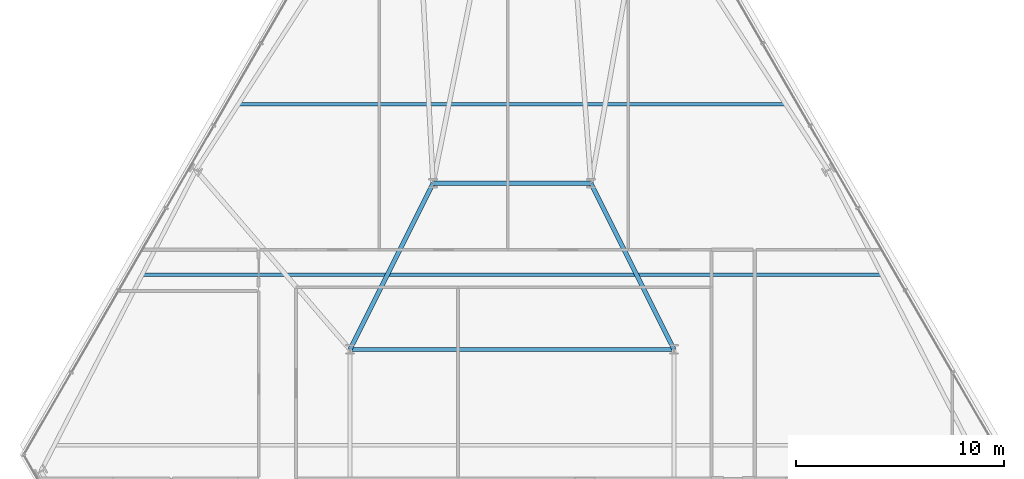
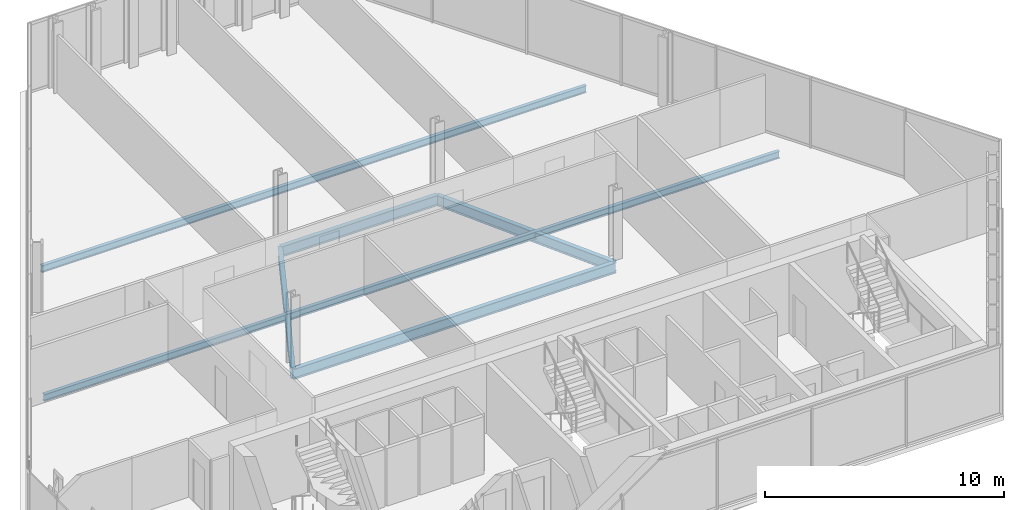
# One storey, part 15 of 32: 6 beams.
"""IFC4 building model written with IfcOpenShell, lengths in metres."""

from ifc_helpers import new_model, si_unit, direction, frame, origin, origin_2d, place, context, subcontext, project, spatial, i_section, extrude, material, material_profile, profile_set, type_object, element, save


model = new_model("IFC4")

# Units and contexts
model_context = context("Model", 3, precision=1e-05, world=origin(), true_north=direction((0.0, 1.0)))
body_context = subcontext(model_context, "Body", "Model", "MODEL_VIEW")
ifc_project = project(units=[si_unit("LENGTHUNIT", "METRE"), si_unit("AREAUNIT", "SQUARE_METRE"), si_unit("VOLUMEUNIT", "CUBIC_METRE"), si_unit("PLANEANGLEUNIT", "RADIAN"), si_unit("MASSUNIT", "GRAM", prefix="KILO")], contexts=[model_context])

# Site, building, storey
site_placement = place(None, origin())
site = spatial("IfcSite", under=ifc_project, at=site_placement, CompositionType="ELEMENT")
building_placement = place(site_placement, origin())
building = spatial("IfcBuilding", under=site, at=building_placement, Name="Ndaravel Arena Tower", CompositionType="ELEMENT")
storey_placement = place(building_placement, frame((0.0, 0.0, 70.199951171875)))
storey = spatial("IfcBuildingStorey", under=building, at=storey_placement, Name="L15", CompositionType="ELEMENT", Elevation=70.199951171875)

# Beams
ifc_material_1 = material(Name="Steel S355", Category="steel")
ifc_material_profile_1 = material_profile(ifc_material_1, i_section(OverallWidth=0.210693359375, OverallDepth=0.53955078125, WebThickness=0.01171875, FlangeThickness=0.018798828125, FilletRadius=0.0126953125, at=origin_2d()), Name="UB 533x210x109")
ifc_profile_set_1 = profile_set([ifc_material_profile_1], Name="Steel S355")
beam_type_1 = type_object("IfcBeamType", Name="BM-GIRD-UB533", PredefinedType="BEAM", material=ifc_profile_set_1)
beam_1_placement = place(storey_placement, frame((34.199951171875, 23.199951171875, -0.48974609375), z_axis=(1.0, 0.0, 0.0), x_axis=(0.0, 1.0, 0.0)))
element("IfcBeam", 1, at=beam_1_placement, inside=storey, type_object=beam_type_1, Name="L15 Spine Link Girder SLG-03", PredefinedType="BEAM", context=body_context, shape_type="SweptSolid", body=[
    extrude(i_section(OverallWidth=0.210693359375, OverallDepth=0.53955078125, WebThickness=0.01171875, FlangeThickness=0.018798828125, FilletRadius=0.0126953125, at=origin_2d()), origin(), (0.0, 0.0, 1.0), 15.60009765625),
])
for number, where, z_axis, x_axis, name in (
    (2, (34.199951171875, 23.199951171875, -0.48974609375), (0.4472135955, 0.894427191, 0.0), (-0.894427191, 0.4472135955, 0.0), "L15 Spine Link Girder SLG-04"),
    (3, (49.800048828125, 23.199951171875, -0.48974609375), (-0.4472135955, 0.894427191, 0.0), (-0.894427191, -0.4472135955, 0.0), "L15 Spine Link Girder SLG-05"),
):
    element("IfcBeam", number, at=place(storey_placement, frame(where, z_axis=z_axis, x_axis=x_axis)), inside=storey, type_object=beam_type_1, Name=name, PredefinedType="BEAM", context=body_context, shape_type="SweptSolid", body=[
        extrude(i_section(OverallWidth=0.210693359375, OverallDepth=0.53955078125, WebThickness=0.01171875, FlangeThickness=0.018798828125, FilletRadius=0.0126953125, at=origin_2d()), origin(), (0.0, 0.0, 1.0), 8.9443359375),
    ])
beam_2_placement = place(storey_placement, frame((38.199951171875, 31.199951171875, -0.48974609375), z_axis=(1.0, 0.0, 0.0), x_axis=(0.0, 1.0, 0.0)))
element("IfcBeam", 4, at=beam_2_placement, inside=storey, type_object=beam_type_1, Name="L15 Spine Link Girder SLG-06", PredefinedType="BEAM", context=body_context, shape_type="SweptSolid", body=[
    extrude(i_section(OverallWidth=0.210693359375, OverallDepth=0.53955078125, WebThickness=0.01171875, FlangeThickness=0.018798828125, FilletRadius=0.0126953125, at=origin_2d()), origin(), (0.0, 0.0, 1.0), 7.60009765625),
])
ifc_material_2 = material(Name="Steel S355", Category="steel")
ifc_material_profile_2 = material_profile(ifc_material_2, i_section(OverallWidth=0.169921875, OverallDepth=0.360107421875, WebThickness=0.008056640625, FlangeThickness=0.0126953125, FilletRadius=0.01806640625, at=origin_2d()), Name="IPE 360")
ifc_profile_set_2 = profile_set([ifc_material_profile_2], Name="Steel S355")
beam_type_2 = type_object("IfcBeamType", Name="BM-JOIST-IPE360", PredefinedType="JOIST", material=ifc_profile_set_2)
beam_3_placement = place(storey_placement, frame((24.1923828125, 26.800048828125, -0.39990234375), z_axis=(1.0, 0.0, 0.0), x_axis=(0.0, 1.0, 0.0)))
element("IfcBeam", 5, at=beam_3_placement, inside=storey, type_object=beam_type_2, Name="L15 Composite Floor Joist FJ-02", PredefinedType="JOIST", context=body_context, shape_type="SweptSolid", body=[
    extrude(i_section(OverallWidth=0.169921875, OverallDepth=0.360107421875, WebThickness=0.008056640625, FlangeThickness=0.0126953125, FilletRadius=0.01806640625, at=origin_2d()), origin(), (0.0, 0.0, 1.0), 35.615234375),
])
beam_4_placement = place(storey_placement, frame((28.8203125, 35.0, -0.39990234375), z_axis=(1.0, 0.0, 0.0), x_axis=(0.0, 1.0, 0.0)))
element("IfcBeam", 6, at=beam_4_placement, inside=storey, type_object=beam_type_2, Name="L15 Composite Floor Joist FJ-03", PredefinedType="JOIST", context=body_context, shape_type="SweptSolid", body=[
    extrude(i_section(OverallWidth=0.169921875, OverallDepth=0.360107421875, WebThickness=0.008056640625, FlangeThickness=0.0126953125, FilletRadius=0.01806640625, at=origin_2d()), origin(), (0.0, 0.0, 1.0), 26.359375),
])

save(model, "model.ifc")
